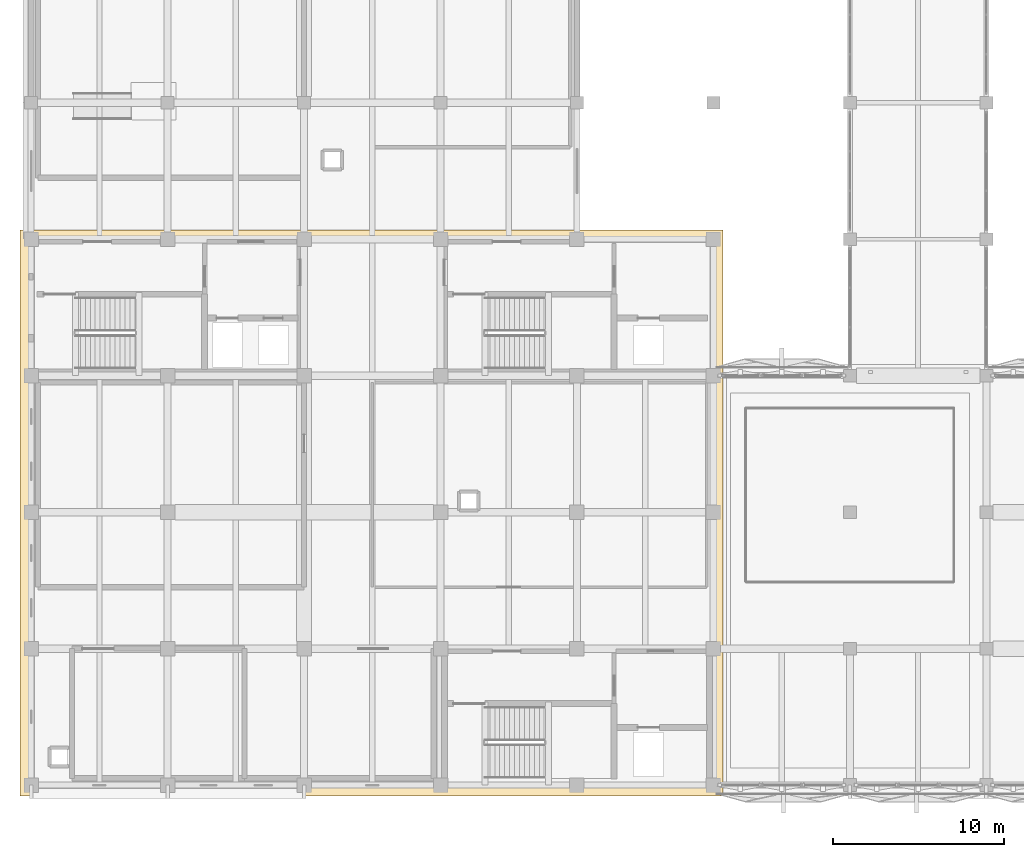
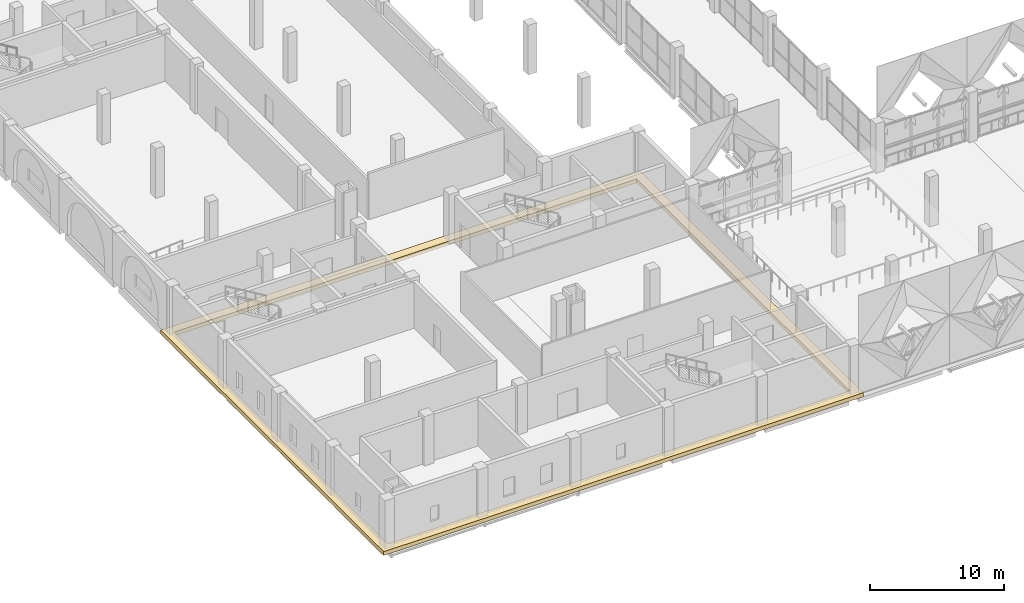
# One storey, part 42 of 53: 1 covering.
"""IFC4 building model written with IfcOpenShell, lengths in metres."""

from ifc_helpers import new_model, si_unit, direction, frame, origin, place, context, subcontext, project, spatial, polyline, outline, extrude, material, layer, layer_set, type_object, element, save


model = new_model("IFC4")

# Units and contexts
model_context = context("Model", 3, precision=1e-05, world=origin(), true_north=direction((0.0, 1.0)))
body_context = subcontext(model_context, "Body", "Model", "MODEL_VIEW")
ifc_project = project(units=[si_unit("LENGTHUNIT", "METRE"), si_unit("AREAUNIT", "SQUARE_METRE"), si_unit("VOLUMEUNIT", "CUBIC_METRE"), si_unit("PLANEANGLEUNIT", "RADIAN"), si_unit("MASSUNIT", "GRAM", prefix="KILO")], contexts=[model_context])

# Site, building, storey
site_placement = place(None, origin())
site = spatial("IfcSite", under=ifc_project, at=site_placement, CompositionType="ELEMENT")
building_placement = place(site_placement, origin())
building = spatial("IfcBuilding", under=site, at=building_placement, Name="Qorikala Patio Media Centre", CompositionType="ELEMENT")
storey_placement = place(building_placement, frame((0.0, 0.0, 5.39990234375)))
storey = spatial("IfcBuildingStorey", under=building, at=storey_placement, Name="L01", CompositionType="ELEMENT", Elevation=5.39990234375)

# Covering
ifc_material = material(Name="Comanche Granite Ashlar Stone", Category="masonry")
ifc_layer = layer(ifc_material, 0.06005859375)
ifc_layer_set = layer_set([ifc_layer], Name="Comanche Granite Ashlar Stone")
covering_type = type_object("IfcCoveringType", Name="COV-CLAD-STONE", PredefinedType="CLADDING", material=ifc_layer_set)
covering_placement = place(storey_placement, frame((0.0, 0.0, -0.25)))
element("IfcCovering", 1, at=covering_placement, inside=storey, type_object=covering_type, Name="Classical Moulded Stone Cornice CORN-V1-BASE", PredefinedType="CLADDING", context=body_context, shape_type="SweptSolid", body=[
    extrude(outline(polyline([(2.35009765625, 2.35009765625), (43.550048828125, 2.35009765625), (43.550048828125, 35.550048828125), (2.35009765625, 35.550048828125), (2.35009765625, 2.35009765625)]), holes=[polyline([(3.10009765625, 3.10009765625), (42.800048828125, 3.10009765625), (42.800048828125, 34.800048828125), (3.10009765625, 34.800048828125), (3.10009765625, 3.10009765625)])]), origin(), (0.0, 0.0, 1.0), 0.35009765625),
])

save(model, "model.ifc")
